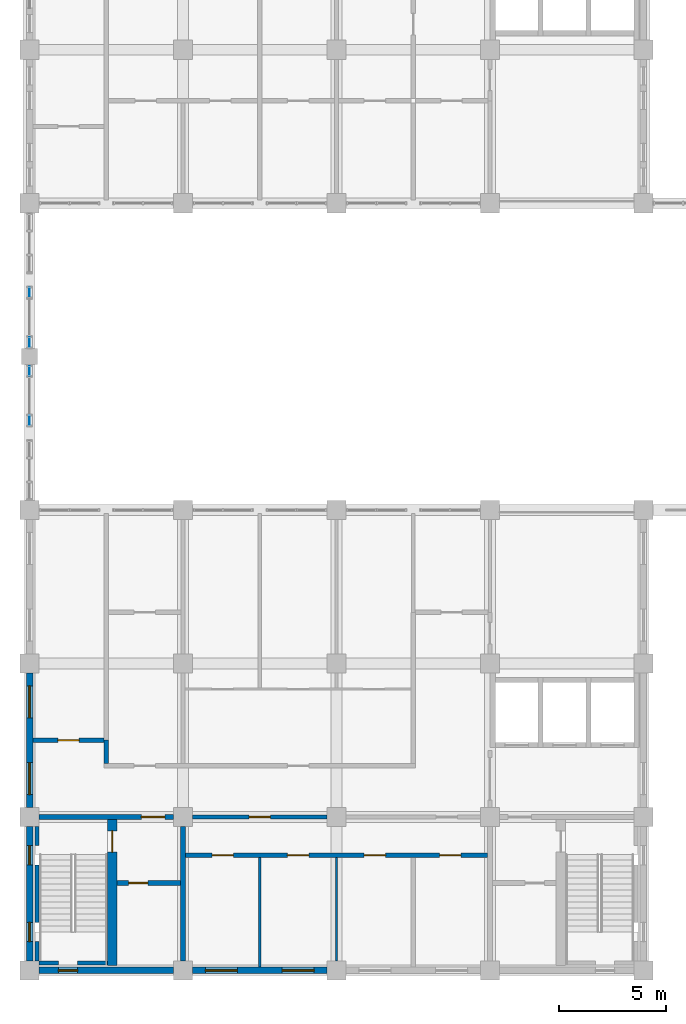
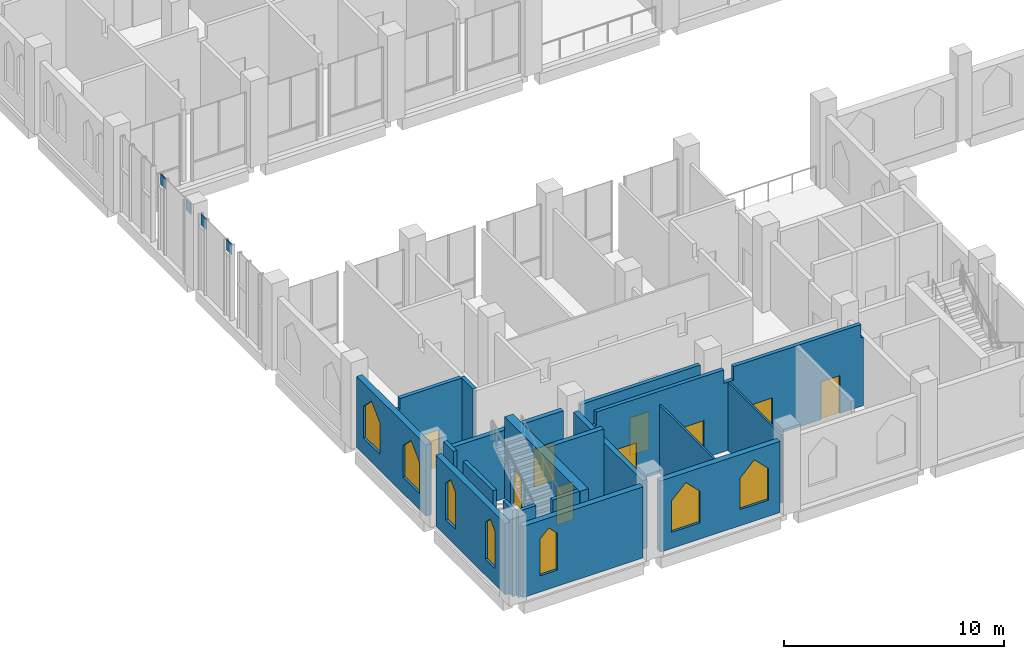
# One storey, part 19 of 30: 19 walls, 9 doors, 7 windows, 4 plates, 16 openings, 2 elements without a shape of their own.
"""IFC4 building model written with IfcOpenShell, lengths in metres."""

from ifc_helpers import new_model, si_unit, direction, frame, frame_2d, origin, origin_2d, place, context, subcontext, project, spatial, polyline, rectangle, outline, extrude, material, layer, layer_set, type_object, element, fill, aggregate, save


model = new_model("IFC4")

# Units and contexts
model_context = context("Model", 3, precision=1e-05, world=origin(), true_north=direction((0.0, 1.0)))
body_context = subcontext(model_context, "Body", "Model", "MODEL_VIEW")
ifc_project = project(units=[si_unit("LENGTHUNIT", "METRE"), si_unit("AREAUNIT", "SQUARE_METRE"), si_unit("VOLUMEUNIT", "CUBIC_METRE"), si_unit("PLANEANGLEUNIT", "RADIAN"), si_unit("MASSUNIT", "GRAM", prefix="KILO")], contexts=[model_context])

# Site, building, storey
site_placement = place(None, origin())
site = spatial("IfcSite", under=ifc_project, at=site_placement, CompositionType="ELEMENT")
building_placement = place(site_placement, origin())
building = spatial("IfcBuilding", under=site, at=building_placement, Name="Silangan Lancet Faculty of Sciences", CompositionType="ELEMENT")
storey_placement = place(building_placement, frame((0.0, 0.0, 31.199951171875)))
storey = spatial("IfcBuildingStorey", under=building, at=storey_placement, Name="L06", CompositionType="ELEMENT", Elevation=31.199951171875)

# Curtain wall, plates
ifc_material_1 = material(Name="Aluminium framed curtain wall with insulated glass", Category="aluminium")
curtain_wall_type = type_object("IfcCurtainWallType", Name="CW6 West window middle bays", PredefinedType="NOTDEFINED", material=ifc_material_1)
curtain_wall_1_placement = place(storey_placement, origin())
curtain_wall_1 = element("IfcCurtainWall", 1, at=curtain_wall_1_placement, inside=storey, type_object=curtain_wall_type, Name="CW6 West window L06 bay 2", PredefinedType="NOTDEFINED")
ifc_material_2 = material(Name="Insulated glass unit 8+16+8 low-emissivity", Category="glass")
ifc_layer_1 = layer(ifc_material_2, 0.031982421875)
ifc_layer_set_1 = layer_set([ifc_layer_1], Name="Insulated glass unit 8+16+8 low-emissivity")
plate_type = type_object("IfcPlateType", Name="CP1 Panel vision glass 32", PredefinedType="CURTAIN_PANEL", material=ifc_layer_set_1)
plate_1_placement = place(storey_placement, frame((0.0, 25.800048828125, 3.60009765625), z_axis=(0.0, 0.0, 1.0), x_axis=(0.0, 1.0, 0.0)))
plate_1 = element("IfcPlate", 2, at=plate_1_placement, type_object=plate_type, Name="CW6 West window L06 bay 2 panel 3", PredefinedType="CURTAIN_PANEL", context=body_context, shape_type="SweptSolid", body=[
    extrude(rectangle(XDim=0.449951171875, YDim=0.031982421875, at=origin_2d()), origin(), (0.0, 0.0, 1.0), 0.60009765625),
])
plate_2_placement = place(storey_placement, frame((0.0, 28.125, 3.60009765625), z_axis=(0.0, 0.0, 1.0), x_axis=(0.0, 1.0, 0.0)))
plate_2 = element("IfcPlate", 3, at=plate_2_placement, type_object=plate_type, Name="CW6 West window L06 bay 2 panel 4", PredefinedType="CURTAIN_PANEL", context=body_context, shape_type="SweptSolid", body=[
    extrude(rectangle(XDim=0.449951171875, YDim=0.031982421875, at=origin_2d()), origin(), (0.0, 0.0, 1.0), 0.60009765625),
])
aggregate(curtain_wall_1, [plate_1, plate_2])

curtain_wall_2_placement = place(storey_placement, origin())
curtain_wall_2 = element("IfcCurtainWall", 4, at=curtain_wall_2_placement, inside=storey, type_object=curtain_wall_type, Name="CW6 West window L06 bay 3", PredefinedType="NOTDEFINED")
plate_3_placement = place(storey_placement, frame((0.0, 29.47509765625, 3.60009765625), z_axis=(0.0, 0.0, 1.0), x_axis=(0.0, 1.0, 0.0)))
plate_3 = element("IfcPlate", 5, at=plate_3_placement, type_object=plate_type, Name="CW6 West window L06 bay 3 panel 3", PredefinedType="CURTAIN_PANEL", context=body_context, shape_type="SweptSolid", body=[
    extrude(rectangle(XDim=0.449951171875, YDim=0.031982421875, at=origin_2d()), origin(), (0.0, 0.0, 1.0), 0.60009765625),
])
plate_4_placement = place(storey_placement, frame((0.0, 31.7998046875, 3.60009765625), z_axis=(0.0, 0.0, 1.0), x_axis=(0.0, 1.0, 0.0)))
plate_4 = element("IfcPlate", 6, at=plate_4_placement, type_object=plate_type, Name="CW6 West window L06 bay 3 panel 4", PredefinedType="CURTAIN_PANEL", context=body_context, shape_type="SweptSolid", body=[
    extrude(rectangle(XDim=0.449951171875, YDim=0.031982421875, at=origin_2d()), origin(), (0.0, 0.0, 1.0), 0.60009765625),
])
aggregate(curtain_wall_2, [plate_3, plate_4])

# Wall, openings, windows
ifc_material_3 = material(Name="Concrete C40/50 precast", Category="concrete")
ifc_layer_2 = layer(ifc_material_3, 0.300048828125)
ifc_layer_set_2 = layer_set([ifc_layer_2], Name="Concrete C40/50 precast")
wall_type_1 = type_object("IfcWallType", Name="EW1 Precast cladding wall", PredefinedType="STANDARD", material=ifc_layer_set_2)
wall_1_placement = place(storey_placement, frame((0.0, 7.64990234375, 0.0), z_axis=(0.0, 0.0, 1.0), x_axis=(0.0, 1.0, 0.0)))
wall_1 = element("IfcWall", 7, at=wall_1_placement, inside=storey, type_object=wall_type_1, Name="EW-L06-W-ST-01", PredefinedType="STANDARD", context=body_context, shape_type="SweptSolid", body=[
    extrude(rectangle(XDim=6.300048828125, YDim=0.300048828125, at=frame_2d((3.14990234375, 0.0))), origin(), (0.0, 0.0, 1.0), 3.949951171875),
])
opening_1_placement = place(wall_1_placement, frame((0.60009765625, 0.0, 0.89990234375)))
opening_1 = element("IfcOpeningElement", 8, at=opening_1_placement, cuts=wall_1, Name="Opening W12", PredefinedType="OPENING", context=body_context, shape_type="SweptSolid", body=[
    extrude(outline(polyline([(0.0, 0.0), (1.5, 0.0), (1.5, 1.75), (0.75, 2.5), (0.0, 1.75), (0.0, 0.0)])), frame((0.0, 0.159912109375, 0.0), z_axis=(0.0, -1.0, 0.0), x_axis=(1.0, 0.0, 0.0)), (0.0, 0.0, 1.0), 0.320068359375),
])
opening_2_placement = place(wall_1_placement, frame((4.199951171875, 0.0, 0.89990234375)))
opening_2 = element("IfcOpeningElement", 9, at=opening_2_placement, cuts=wall_1, Name="Opening W12", PredefinedType="OPENING", context=body_context, shape_type="SweptSolid", body=[
    extrude(outline(polyline([(0.0, 0.0), (1.5, 0.0), (1.5, 1.75), (0.75, 2.5), (0.0, 1.75), (0.0, 0.0)])), frame((0.0, 0.159912109375, 0.0), z_axis=(0.0, -1.0, 0.0), x_axis=(1.0, 0.0, 0.0)), (0.0, 0.0, 1.0), 0.320068359375),
])
ifc_material_4 = material(Name="Aluminium frame, laminated double glazing", Category="aluminium")
window_type_1 = type_object("IfcWindowType", Name="W12 Lancet window 1500 x 2500", PartitioningType="SINGLE_PANEL", PredefinedType="WINDOW", material=ifc_material_4)
window_1_placement = place(opening_1_placement, origin())
window_1 = element("IfcWindow", 10, at=window_1_placement, inside=storey, type_object=window_type_1, Name="WIN-L06-W-ST-01a", OverallHeight=2.5, OverallWidth=1.5, PartitioningType="SINGLE_PANEL", PredefinedType="WINDOW", context=body_context, shape_type="SweptSolid", body=[
    extrude(outline(polyline([(0.0, 0.0), (1.5, 0.0), (1.5, 1.75), (0.75, 2.5), (0.0, 1.75), (0.0, 0.0)])), frame((0.0, 0.030029296875, 0.0), z_axis=(0.0, -1.0, 0.0), x_axis=(1.0, 0.0, 0.0)), (0.0, 0.0, 1.0), 0.06005859375),
])
fill(opening_1, window_1)
window_2_placement = place(opening_2_placement, origin())
window_2 = element("IfcWindow", 11, at=window_2_placement, inside=storey, type_object=window_type_1, Name="WIN-L06-W-ST-01b", OverallHeight=2.5, OverallWidth=1.5, PartitioningType="SINGLE_PANEL", PredefinedType="WINDOW", context=body_context, shape_type="SweptSolid", body=[
    extrude(outline(polyline([(0.0, 0.0), (1.5, 0.0), (1.5, 1.75), (0.75, 2.5), (0.0, 1.75), (0.0, 0.0)])), frame((0.0, 0.030029296875, 0.0), z_axis=(0.0, -1.0, 0.0), x_axis=(1.0, 0.0, 0.0)), (0.0, 0.0, 1.0), 0.06005859375),
])
fill(opening_2, window_2)

wall_2_placement = place(storey_placement, frame((7.64990234375, 0.0, 0.0), z_axis=(0.0, 0.0, 1.0), x_axis=(1.0, 0.0, 0.0)))
wall_2 = element("IfcWall", 12, at=wall_2_placement, inside=storey, type_object=wall_type_1, Name="EW-L06-S-ST-01", PredefinedType="STANDARD", context=body_context, shape_type="SweptSolid", body=[
    extrude(rectangle(XDim=6.300048828125, YDim=0.300048828125, at=frame_2d((3.14990234375, 0.0))), origin(), (0.0, 0.0, 1.0), 3.949951171875),
])
opening_3_placement = place(wall_2_placement, frame((0.60009765625, 0.0, 0.89990234375)))
opening_3 = element("IfcOpeningElement", 13, at=opening_3_placement, cuts=wall_2, Name="Opening W12", PredefinedType="OPENING", context=body_context, shape_type="SweptSolid", body=[
    extrude(outline(polyline([(0.0, 0.0), (1.5, 0.0), (1.5, 1.75), (0.75, 2.5), (0.0, 1.75), (0.0, 0.0)])), frame((0.0, 0.159912109375, 0.0), z_axis=(0.0, -1.0, 0.0), x_axis=(1.0, 0.0, 0.0)), (0.0, 0.0, 1.0), 0.320068359375),
])
opening_4_placement = place(wall_2_placement, frame((4.199951171875, 0.0, 0.89990234375)))
opening_4 = element("IfcOpeningElement", 14, at=opening_4_placement, cuts=wall_2, Name="Opening W12", PredefinedType="OPENING", context=body_context, shape_type="SweptSolid", body=[
    extrude(outline(polyline([(0.0, 0.0), (1.5, 0.0), (1.5, 1.75), (0.75, 2.5), (0.0, 1.75), (0.0, 0.0)])), frame((0.0, 0.159912109375, 0.0), z_axis=(0.0, -1.0, 0.0), x_axis=(1.0, 0.0, 0.0)), (0.0, 0.0, 1.0), 0.320068359375),
])
window_3_placement = place(opening_3_placement, origin())
window_3 = element("IfcWindow", 15, at=window_3_placement, inside=storey, type_object=window_type_1, Name="WIN-L06-S-ST-01a", OverallHeight=2.5, OverallWidth=1.5, PartitioningType="SINGLE_PANEL", PredefinedType="WINDOW", context=body_context, shape_type="SweptSolid", body=[
    extrude(outline(polyline([(0.0, 0.0), (1.5, 0.0), (1.5, 1.75), (0.75, 2.5), (0.0, 1.75), (0.0, 0.0)])), frame((0.0, 0.030029296875, 0.0), z_axis=(0.0, -1.0, 0.0), x_axis=(1.0, 0.0, 0.0)), (0.0, 0.0, 1.0), 0.06005859375),
])
fill(opening_3, window_3)
window_4_placement = place(opening_4_placement, origin())
window_4 = element("IfcWindow", 16, at=window_4_placement, inside=storey, type_object=window_type_1, Name="WIN-L06-S-ST-01b", OverallHeight=2.5, OverallWidth=1.5, PartitioningType="SINGLE_PANEL", PredefinedType="WINDOW", context=body_context, shape_type="SweptSolid", body=[
    extrude(outline(polyline([(0.0, 0.0), (1.5, 0.0), (1.5, 1.75), (0.75, 2.5), (0.0, 1.75), (0.0, 0.0)])), frame((0.0, 0.030029296875, 0.0), z_axis=(0.0, -1.0, 0.0), x_axis=(1.0, 0.0, 0.0)), (0.0, 0.0, 1.0), 0.06005859375),
])
fill(opening_4, window_4)

ifc_material_5 = material(Name="Concrete C40/50 precast", Category="concrete")
ifc_layer_3 = layer(ifc_material_5, 0.300048828125)
ifc_layer_set_3 = layer_set([ifc_layer_3], Name="Concrete C40/50 precast")
wall_type_2 = type_object("IfcWallType", Name="EW2 Turret enclosure wall", PredefinedType="STANDARD", material=ifc_layer_set_3)
wall_3_placement = place(storey_placement, frame((0.0, 0.449951171875, 0.0), z_axis=(0.0, 0.0, 1.0), x_axis=(0.0, 1.0, 0.0)))
wall_3 = element("IfcWall", 17, at=wall_3_placement, inside=storey, type_object=wall_type_2, Name="EW-L06-W-ST-00", PredefinedType="STANDARD", context=body_context, shape_type="SweptSolid", body=[
    extrude(rectangle(XDim=6.300048828125, YDim=0.300048828125, at=frame_2d((3.14990234375, 0.0))), origin(), (0.0, 0.0, 1.0), 3.949951171875),
])
opening_5_placement = place(wall_3_placement, frame((0.89990234375, 0.0, 0.89990234375)))
opening_5 = element("IfcOpeningElement", 18, at=opening_5_placement, cuts=wall_3, Name="Opening W11", PredefinedType="OPENING", context=body_context, shape_type="SweptSolid", body=[
    extrude(outline(polyline([(0.0, 0.0), (0.89990234375, 0.0), (0.89990234375, 2.050048828125), (0.449951171875, 2.5), (0.0, 2.050048828125), (0.0, 0.0)])), frame((0.0, 0.159912109375, 0.0), z_axis=(0.0, -1.0, 0.0), x_axis=(1.0, 0.0, 0.0)), (0.0, 0.0, 1.0), 0.320068359375),
])
opening_6_placement = place(wall_3_placement, frame((4.5, 0.0, 0.89990234375)))
opening_6 = element("IfcOpeningElement", 19, at=opening_6_placement, cuts=wall_3, Name="Opening W11", PredefinedType="OPENING", context=body_context, shape_type="SweptSolid", body=[
    extrude(outline(polyline([(0.0, 0.0), (0.89990234375, 0.0), (0.89990234375, 2.050048828125), (0.449951171875, 2.5), (0.0, 2.050048828125), (0.0, 0.0)])), frame((0.0, 0.159912109375, 0.0), z_axis=(0.0, -1.0, 0.0), x_axis=(1.0, 0.0, 0.0)), (0.0, 0.0, 1.0), 0.320068359375),
])
ifc_material_6 = material(Name="Aluminium frame, laminated double glazing", Category="aluminium")
window_type_2 = type_object("IfcWindowType", Name="W11 Lancet window 900 x 2500", PartitioningType="SINGLE_PANEL", PredefinedType="WINDOW", material=ifc_material_6)
window_5_placement = place(opening_5_placement, origin())
window_5 = element("IfcWindow", 20, at=window_5_placement, inside=storey, type_object=window_type_2, Name="WIN-L06-W-ST-00a", OverallHeight=2.5, OverallWidth=0.89990234375, PartitioningType="SINGLE_PANEL", PredefinedType="WINDOW", context=body_context, shape_type="SweptSolid", body=[
    extrude(outline(polyline([(0.0, 0.0), (0.89990234375, 0.0), (0.89990234375, 2.050048828125), (0.449951171875, 2.5), (0.0, 2.050048828125), (0.0, 0.0)])), frame((0.0, 0.030029296875, 0.0), z_axis=(0.0, -1.0, 0.0), x_axis=(1.0, 0.0, 0.0)), (0.0, 0.0, 1.0), 0.06005859375),
])
fill(opening_5, window_5)
window_6_placement = place(opening_6_placement, origin())
window_6 = element("IfcWindow", 21, at=window_6_placement, inside=storey, type_object=window_type_2, Name="WIN-L06-W-ST-00b", OverallHeight=2.5, OverallWidth=0.89990234375, PartitioningType="SINGLE_PANEL", PredefinedType="WINDOW", context=body_context, shape_type="SweptSolid", body=[
    extrude(outline(polyline([(0.0, 0.0), (0.89990234375, 0.0), (0.89990234375, 2.050048828125), (0.449951171875, 2.5), (0.0, 2.050048828125), (0.0, 0.0)])), frame((0.0, 0.030029296875, 0.0), z_axis=(0.0, -1.0, 0.0), x_axis=(1.0, 0.0, 0.0)), (0.0, 0.0, 1.0), 0.06005859375),
])
fill(opening_6, window_6)

# Wall, opening, window
wall_4_placement = place(storey_placement, frame((0.449951171875, 0.0, 0.0), z_axis=(0.0, 0.0, 1.0), x_axis=(1.0, 0.0, 0.0)))
wall_4 = element("IfcWall", 22, at=wall_4_placement, inside=storey, type_object=wall_type_2, Name="EW-L06-S-ST-00", PredefinedType="STANDARD", context=body_context, shape_type="SweptSolid", body=[
    extrude(rectangle(XDim=6.300048828125, YDim=0.300048828125, at=frame_2d((3.14990234375, 0.0))), origin(), (0.0, 0.0, 1.0), 3.949951171875),
])
opening_7_placement = place(wall_4_placement, frame((0.89990234375, 0.0, 0.89990234375)))
opening_7 = element("IfcOpeningElement", 23, at=opening_7_placement, cuts=wall_4, Name="Opening W11", PredefinedType="OPENING", context=body_context, shape_type="SweptSolid", body=[
    extrude(outline(polyline([(0.0, 0.0), (0.89990234375, 0.0), (0.89990234375, 2.050048828125), (0.449951171875, 2.5), (0.0, 2.050048828125), (0.0, 0.0)])), frame((0.0, 0.159912109375, 0.0), z_axis=(0.0, -1.0, 0.0), x_axis=(1.0, 0.0, 0.0)), (0.0, 0.0, 1.0), 0.320068359375),
])
window_7_placement = place(opening_7_placement, origin())
window_7 = element("IfcWindow", 24, at=window_7_placement, inside=storey, type_object=window_type_2, Name="WIN-L06-S-ST-00a", OverallHeight=2.5, OverallWidth=0.89990234375, PartitioningType="SINGLE_PANEL", PredefinedType="WINDOW", context=body_context, shape_type="SweptSolid", body=[
    extrude(outline(polyline([(0.0, 0.0), (0.89990234375, 0.0), (0.89990234375, 2.050048828125), (0.449951171875, 2.5), (0.0, 2.050048828125), (0.0, 0.0)])), frame((0.0, 0.030029296875, 0.0), z_axis=(0.0, -1.0, 0.0), x_axis=(1.0, 0.0, 0.0)), (0.0, 0.0, 1.0), 0.06005859375),
])
fill(opening_7, window_7)

# Wall, openings, doors
ifc_material_7 = material(Name="Hollow block masonry fm 7 MPa", Category="masonry")
ifc_layer_4 = layer(ifc_material_7, 0.199951171875)
ifc_layer_set_4 = layer_set([ifc_layer_4], Name="Hollow block masonry fm 7 MPa")
wall_type_3 = type_object("IfcWallType", Name="Interior wall PW1 Corridor wall CHB 200", PredefinedType="PARTITIONING", material=ifc_layer_set_4)
wall_5_placement = place(storey_placement, frame((7.324951171875, 5.39990234375, 0.0), z_axis=(0.0, 0.0, 1.0), x_axis=(1.0, 0.0, 0.0)))
wall_5 = element("IfcWall", 25, at=wall_5_placement, inside=storey, type_object=wall_type_3, Name="Corridor wall CHB 200", PredefinedType="PARTITIONING", context=body_context, shape_type="SweptSolid", body=[
    extrude(outline(polyline([(0.0, 0.0), (14.150146484375, 0.0), (14.150146484375, 3.800048828125), (14.02490234375, 3.800048828125), (14.02490234375, 4.550048828125), (7.324951171875, 4.550048828125), (7.324951171875, 3.800048828125), (6.824951171875, 3.800048828125), (6.824951171875, 4.550048828125), (0.125, 4.550048828125), (0.125, 3.800048828125), (0.0, 3.800048828125), (0.0, 0.0)])), frame((0.0, 0.10009765625, 0.0), z_axis=(0.0, -1.0, 0.0), x_axis=(1.0, 0.0, 0.0)), (0.0, 0.0, 1.0), 0.199951171875),
])
opening_8_placement = place(wall_5_placement, frame((1.237548828125, 0.0, 0.0)))
opening_8 = element("IfcOpeningElement", 26, at=opening_8_placement, cuts=wall_5, Name="Opening L06-007", PredefinedType="OPENING", context=body_context, shape_type="SweptSolid", body=[
    extrude(rectangle(XDim=1.0, YDim=2.10009765625, at=frame_2d((0.5, 1.050048828125))), frame((0.0, 0.10986328125, 0.0), z_axis=(0.0, -1.0, 0.0), x_axis=(1.0, 0.0, 0.0)), (0.0, 0.0, 1.0), 0.219970703125),
])
opening_9_placement = place(wall_5_placement, frame((4.77490234375, 0.0, 0.0)))
opening_9 = element("IfcOpeningElement", 27, at=opening_9_placement, cuts=wall_5, Name="Opening L06-008", PredefinedType="OPENING", context=body_context, shape_type="SweptSolid", body=[
    extrude(rectangle(XDim=1.0, YDim=2.10009765625, at=frame_2d((0.5, 1.050048828125))), frame((0.0, 0.10986328125, 0.0), z_axis=(0.0, -1.0, 0.0), x_axis=(1.0, 0.0, 0.0)), (0.0, 0.0, 1.0), 0.219970703125),
])
opening_10_placement = place(wall_5_placement, frame((8.375, 0.0, 0.0)))
opening_10 = element("IfcOpeningElement", 28, at=opening_10_placement, cuts=wall_5, Name="Opening L06-009", PredefinedType="OPENING", context=body_context, shape_type="SweptSolid", body=[
    extrude(rectangle(XDim=1.0, YDim=2.10009765625, at=frame_2d((0.5, 1.050048828125))), frame((0.0, 0.10986328125, 0.0), z_axis=(0.0, -1.0, 0.0), x_axis=(1.0, 0.0, 0.0)), (0.0, 0.0, 1.0), 0.219970703125),
])
opening_11_placement = place(wall_5_placement, frame((11.91259765625, 0.0, 0.0)))
opening_11 = element("IfcOpeningElement", 29, at=opening_11_placement, cuts=wall_5, Name="Opening L06-010", PredefinedType="OPENING", context=body_context, shape_type="SweptSolid", body=[
    extrude(rectangle(XDim=1.0, YDim=2.10009765625, at=frame_2d((0.5, 1.050048828125))), frame((0.0, 0.10986328125, 0.0), z_axis=(0.0, -1.0, 0.0), x_axis=(1.0, 0.0, 0.0)), (0.0, 0.0, 1.0), 0.219970703125),
])
ifc_material_8 = material(Name="Steel fire door set", Category="steel")
door_type_1 = type_object("IfcDoorType", Name="Door D1 Single leaf fire door 1000 x 2100", OperationType="SINGLE_SWING_LEFT", PredefinedType="DOOR", material=ifc_material_8)
door_1_placement = place(opening_8_placement, frame((1.0, 0.0, 0.0), z_axis=(0.0, 0.0, 1.0), x_axis=(-1.0, 0.0, 0.0)))
door_1 = element("IfcDoor", 30, at=door_1_placement, inside=storey, type_object=door_type_1, Name="Single leaf fire door 1000 x 2100", OperationType="SINGLE_SWING_RIGHT", OverallHeight=2.10009765625, OverallWidth=1.0, PredefinedType="DOOR", context=body_context, shape_type="SweptSolid", body=[
    extrude(rectangle(XDim=1.0, YDim=2.10009765625, at=frame_2d((0.5, 1.050048828125))), frame((0.0, 0.025146484375, 0.0), z_axis=(0.0, -1.0, 0.0), x_axis=(1.0, 0.0, 0.0)), (0.0, 0.0, 1.0), 0.050048828125),
])
fill(opening_8, door_1)
door_2_placement = place(opening_9_placement, frame((1.0, 0.0, 0.0), z_axis=(0.0, 0.0, 1.0), x_axis=(-1.0, 0.0, 0.0)))
door_2 = element("IfcDoor", 31, at=door_2_placement, inside=storey, type_object=door_type_1, Name="Single leaf fire door 1000 x 2100", OperationType="SINGLE_SWING_LEFT", OverallHeight=2.10009765625, OverallWidth=1.0, PredefinedType="DOOR", context=body_context, shape_type="SweptSolid", body=[
    extrude(rectangle(XDim=1.0, YDim=2.10009765625, at=frame_2d((0.5, 1.050048828125))), frame((0.0, 0.025146484375, 0.0), z_axis=(0.0, -1.0, 0.0), x_axis=(1.0, 0.0, 0.0)), (0.0, 0.0, 1.0), 0.050048828125),
])
fill(opening_9, door_2)
door_3_placement = place(opening_10_placement, frame((1.0, 0.0, 0.0), z_axis=(0.0, 0.0, 1.0), x_axis=(-1.0, 0.0, 0.0)))
door_3 = element("IfcDoor", 32, at=door_3_placement, inside=storey, type_object=door_type_1, Name="Single leaf fire door 1000 x 2100", OperationType="SINGLE_SWING_RIGHT", OverallHeight=2.10009765625, OverallWidth=1.0, PredefinedType="DOOR", context=body_context, shape_type="SweptSolid", body=[
    extrude(rectangle(XDim=1.0, YDim=2.10009765625, at=frame_2d((0.5, 1.050048828125))), frame((0.0, 0.025146484375, 0.0), z_axis=(0.0, -1.0, 0.0), x_axis=(1.0, 0.0, 0.0)), (0.0, 0.0, 1.0), 0.050048828125),
])
fill(opening_10, door_3)
door_4_placement = place(opening_11_placement, frame((1.0, 0.0, 0.0), z_axis=(0.0, 0.0, 1.0), x_axis=(-1.0, 0.0, 0.0)))
door_4 = element("IfcDoor", 33, at=door_4_placement, inside=storey, type_object=door_type_1, Name="Single leaf fire door 1000 x 2100", OperationType="SINGLE_SWING_LEFT", OverallHeight=2.10009765625, OverallWidth=1.0, PredefinedType="DOOR", context=body_context, shape_type="SweptSolid", body=[
    extrude(rectangle(XDim=1.0, YDim=2.10009765625, at=frame_2d((0.5, 1.050048828125))), frame((0.0, 0.025146484375, 0.0), z_axis=(0.0, -1.0, 0.0), x_axis=(1.0, 0.0, 0.0)), (0.0, 0.0, 1.0), 0.050048828125),
])
fill(opening_11, door_4)

# Wall, opening, door
wall_6_placement = place(storey_placement, frame((7.64990234375, 7.199951171875, 0.0), z_axis=(0.0, 0.0, 1.0), x_axis=(1.0, 0.0, 0.0)))
wall_6 = element("IfcWall", 34, at=wall_6_placement, inside=storey, type_object=wall_type_3, Name="Corridor wall CHB 200", PredefinedType="PARTITIONING", context=body_context, shape_type="SweptSolid", body=[
    extrude(rectangle(XDim=6.300048828125, YDim=0.199951171875, at=frame_2d((3.14990234375, 0.0))), origin(), (0.0, 0.0, 1.0), 3.800048828125),
])
opening_12_placement = place(wall_6_placement, frame((2.64990234375, 0.0, 0.0)))
opening_12 = element("IfcOpeningElement", 35, at=opening_12_placement, cuts=wall_6, Name="Opening L06-002", PredefinedType="OPENING", context=body_context, shape_type="SweptSolid", body=[
    extrude(rectangle(XDim=1.0, YDim=2.10009765625, at=frame_2d((0.5, 1.050048828125))), frame((0.0, 0.10986328125, 0.0), z_axis=(0.0, -1.0, 0.0), x_axis=(1.0, 0.0, 0.0)), (0.0, 0.0, 1.0), 0.219970703125),
])
door_5_placement = place(opening_12_placement, frame((1.0, 0.0, 0.0), z_axis=(0.0, 0.0, 1.0), x_axis=(-1.0, 0.0, 0.0)))
door_5 = element("IfcDoor", 36, at=door_5_placement, inside=storey, type_object=door_type_1, Name="Single leaf fire door 1000 x 2100", OperationType="SINGLE_SWING_LEFT", OverallHeight=2.10009765625, OverallWidth=1.0, PredefinedType="DOOR", context=body_context, shape_type="SweptSolid", body=[
    extrude(rectangle(XDim=1.0, YDim=2.10009765625, at=frame_2d((0.5, 1.050048828125))), frame((0.0, 0.025146484375, 0.0), z_axis=(0.0, -1.0, 0.0), x_axis=(1.0, 0.0, 0.0)), (0.0, 0.0, 1.0), 0.050048828125),
])
fill(opening_12, door_5)

wall_7_placement = place(storey_placement, frame((0.14990234375, 10.800048828125, 0.0), z_axis=(0.0, 0.0, 1.0), x_axis=(1.0, 0.0, 0.0)))
wall_7 = element("IfcWall", 37, at=wall_7_placement, inside=storey, type_object=wall_type_3, Name="Corridor wall CHB 200", PredefinedType="PARTITIONING", context=body_context, shape_type="SweptSolid", body=[
    extrude(outline(polyline([(0.0, 0.0), (3.35009765625, 0.0), (3.35009765625, 4.550048828125), (0.10009765625, 4.550048828125), (0.10009765625, 3.949951171875), (0.0, 3.949951171875), (0.0, 0.0)])), frame((0.0, 0.10009765625, 0.0), z_axis=(0.0, -1.0, 0.0), x_axis=(1.0, 0.0, 0.0)), (0.0, 0.0, 1.0), 0.199951171875),
])
opening_13_placement = place(wall_7_placement, frame((1.175048828125, 0.0, 0.0)))
opening_13 = element("IfcOpeningElement", 38, at=opening_13_placement, cuts=wall_7, Name="Opening L06-013", PredefinedType="OPENING", context=body_context, shape_type="SweptSolid", body=[
    extrude(rectangle(XDim=1.0, YDim=2.10009765625, at=frame_2d((0.5, 1.050048828125))), frame((0.0, 0.10986328125, 0.0), z_axis=(0.0, -1.0, 0.0), x_axis=(1.0, 0.0, 0.0)), (0.0, 0.0, 1.0), 0.219970703125),
])
door_6_placement = place(opening_13_placement, origin())
door_6 = element("IfcDoor", 39, at=door_6_placement, inside=storey, type_object=door_type_1, Name="Single leaf fire door 1000 x 2100", OperationType="SINGLE_SWING_LEFT", OverallHeight=2.10009765625, OverallWidth=1.0, PredefinedType="DOOR", context=body_context, shape_type="SweptSolid", body=[
    extrude(rectangle(XDim=1.0, YDim=2.10009765625, at=frame_2d((0.5, 1.050048828125))), frame((0.0, 0.02490234375, 0.0), z_axis=(0.0, -1.0, 0.0), x_axis=(1.0, 0.0, 0.0)), (0.0, 0.0, 1.0), 0.050048828125),
])
fill(opening_13, door_6)

# Walls
wall_8_placement = place(storey_placement, frame((3.60009765625, 9.699951171875, 0.0), z_axis=(0.0, 0.0, 1.0), x_axis=(0.0, 1.0, 0.0)))
element("IfcWall", 40, at=wall_8_placement, inside=storey, type_object=wall_type_3, Name="Corridor wall CHB 200", PredefinedType="PARTITIONING", context=body_context, shape_type="SweptSolid", body=[
    extrude(rectangle(XDim=1.10009765625, YDim=0.199951171875, at=frame_2d((0.550048828125, 0.0))), origin(), (0.0, 0.0, 1.0), 4.550048828125),
])
ifc_material_9 = material(Name="Hollow block masonry fm 7 MPa", Category="masonry")
ifc_layer_5 = layer(ifc_material_9, 0.10009765625)
ifc_layer_set_5 = layer_set([ifc_layer_5], Name="Hollow block masonry fm 7 MPa")
wall_type_4 = type_object("IfcWallType", Name="Interior wall PW8 WC partition CHB 100", PredefinedType="PARTITIONING", material=ifc_layer_set_5)
wall_9_placement = place(storey_placement, frame((10.800048828125, 0.14990234375, 0.0), z_axis=(0.0, 0.0, 1.0), x_axis=(0.0, 1.0, 0.0)))
element("IfcWall", 41, at=wall_9_placement, inside=storey, type_object=wall_type_4, Name="WC partition CHB 100", PredefinedType="PARTITIONING", context=body_context, shape_type="SweptSolid", body=[
    extrude(rectangle(XDim=5.150146484375, YDim=0.10009765625, at=frame_2d((2.5751953125, 0.0))), origin(), (0.0, 0.0, 1.0), 3.800048828125),
])
wall_10_placement = place(storey_placement, frame((14.39990234375, 0.449951171875, 0.0), z_axis=(0.0, 0.0, 1.0), x_axis=(0.0, 1.0, 0.0)))
element("IfcWall", 42, at=wall_10_placement, inside=storey, type_object=wall_type_4, Name="WC partition CHB 100", PredefinedType="PARTITIONING", context=body_context, shape_type="SweptSolid", body=[
    extrude(rectangle(XDim=4.85009765625, YDim=0.10009765625, at=frame_2d((2.425048828125, 0.0))), origin(), (0.0, 0.0, 1.0), 3.800048828125),
])

# Wall, opening, door
ifc_material_10 = material(Name="Concrete C40/50", Category="concrete")
ifc_layer_6 = layer(ifc_material_10, 0.449951171875)
ifc_layer_set_6 = layer_set([ifc_layer_6], Name="Concrete C40/50")
wall_type_5 = type_object("IfcWallType", Name="TURRET CORE WALL RC 450", PredefinedType="SHEAR", material=ifc_layer_set_6)
wall_11_placement = place(storey_placement, frame((3.875, 0.22509765625, 0.0), z_axis=(0.0, 0.0, 1.0), x_axis=(0.0, 1.0, 0.0)))
wall_11 = element("IfcWall", 43, at=wall_11_placement, inside=storey, type_object=wall_type_5, Name="WALL-L06-ST-A-WELL", PredefinedType="SHEAR", context=body_context, shape_type="SweptSolid", body=[
    extrude(rectangle(XDim=6.849853515625, YDim=0.449951171875, at=frame_2d((3.4248046875, 0.0))), origin(), (0.0, 0.0, 1.0), 4.550048828125),
])
opening_14_placement = place(wall_11_placement, frame((5.324951171875, 0.0, 0.0)))
opening_14 = element("IfcOpeningElement", 44, at=opening_14_placement, cuts=wall_11, Name="Opening L06-707", PredefinedType="OPENING", context=body_context, shape_type="SweptSolid", body=[
    extrude(rectangle(XDim=1.0, YDim=2.10009765625, at=frame_2d((0.5, 1.050048828125))), frame((0.0, 0.23486328125, 0.0), z_axis=(0.0, -1.0, 0.0), x_axis=(1.0, 0.0, 0.0)), (0.0, 0.0, 1.0), 0.469970703125),
])
ifc_material_11 = material(Name="Steel fire door set", Category="steel")
door_type_2 = type_object("IfcDoorType", Name="D71 Stair enclosure door 1000x2100", OperationType="SINGLE_SWING_LEFT", PredefinedType="DOOR", material=ifc_material_11)
door_7_placement = place(opening_14_placement, origin())
door_7 = element("IfcDoor", 45, at=door_7_placement, inside=storey, type_object=door_type_2, Name="Stair enclosure door ST-A L06", OperationType="SINGLE_SWING_RIGHT", OverallHeight=2.10009765625, OverallWidth=1.0, PredefinedType="DOOR", context=body_context, shape_type="SweptSolid", body=[
    extrude(rectangle(XDim=1.0, YDim=2.10009765625, at=frame_2d((0.5, 1.050048828125))), frame((0.0, 0.02490234375, 0.0), z_axis=(0.0, -1.0, 0.0), x_axis=(1.0, 0.0, 0.0)), (0.0, 0.0, 1.0), 0.050048828125),
])
fill(opening_14, door_7)

# Walls
ifc_material_12 = material(Name="Concrete C40/50", Category="concrete")
ifc_layer_7 = layer(ifc_material_12, 0.199951171875)
ifc_layer_set_7 = layer_set([ifc_layer_7], Name="Concrete C40/50")
wall_type_6 = type_object("IfcWallType", Name="TURRET LINING WALL RC 200", PredefinedType="SHEAR", material=ifc_layer_set_7)
wall_12_placement = place(storey_placement, frame((0.35009765625, 0.449951171875, -0.25), z_axis=(0.0, 0.0, 1.0), x_axis=(0.0, 1.0, 0.0)))
element("IfcWall", 46, at=wall_12_placement, inside=storey, type_object=wall_type_6, Name="WALL-L06-ST-A-WL", PredefinedType="SHEAR", context=body_context, shape_type="SweptSolid", body=[
    extrude(rectangle(XDim=0.900146484375, YDim=0.199951171875, at=frame_2d((0.4501953125, 0.0))), origin(), (0.0, 0.0, 1.0), 4.800048828125),
])
wall_13_placement = place(storey_placement, frame((0.35009765625, 2.25, -0.25), z_axis=(0.0, 0.0, 1.0), x_axis=(0.0, 1.0, 0.0)))
element("IfcWall", 47, at=wall_13_placement, inside=storey, type_object=wall_type_6, Name="WALL-L06-ST-A-WL-2", PredefinedType="SHEAR", context=body_context, shape_type="SweptSolid", body=[
    extrude(rectangle(XDim=2.699951171875, YDim=0.199951171875, at=frame_2d((1.35009765625, 0.0))), origin(), (0.0, 0.0, 1.0), 4.800048828125),
])
wall_14_placement = place(storey_placement, frame((0.35009765625, 5.85009765625, -0.25), z_axis=(0.0, 0.0, 1.0), x_axis=(0.0, 1.0, 0.0)))
element("IfcWall", 48, at=wall_14_placement, inside=storey, type_object=wall_type_6, Name="WALL-L06-ST-A-WL-3", PredefinedType="SHEAR", context=body_context, shape_type="SweptSolid", body=[
    extrude(rectangle(XDim=0.89990234375, YDim=0.199951171875, at=frame_2d((0.449951171875, 0.0))), origin(), (0.0, 0.0, 1.0), 4.800048828125),
])
wall_15_placement = place(storey_placement, frame((0.449951171875, 0.35009765625, -0.25), z_axis=(0.0, 0.0, 1.0), x_axis=(1.0, 0.0, 0.0)))
element("IfcWall", 49, at=wall_15_placement, inside=storey, type_object=wall_type_6, Name="WALL-L06-ST-A-WLD", PredefinedType="SHEAR", context=body_context, shape_type="SweptSolid", body=[
    extrude(rectangle(XDim=0.900146484375, YDim=0.199951171875, at=frame_2d((0.4501953125, 0.0))), origin(), (0.0, 0.0, 1.0), 4.800048828125),
])
wall_16_placement = place(storey_placement, frame((2.25, 0.35009765625, -0.25), z_axis=(0.0, 0.0, 1.0), x_axis=(1.0, 0.0, 0.0)))
element("IfcWall", 50, at=wall_16_placement, inside=storey, type_object=wall_type_6, Name="WALL-L06-ST-A-WLD-2", PredefinedType="SHEAR", context=body_context, shape_type="SweptSolid", body=[
    extrude(rectangle(XDim=1.39990234375, YDim=0.199951171875, at=frame_2d((0.699951171875, 0.0))), origin(), (0.0, 0.0, 1.0), 4.800048828125),
])

# Wall, opening, door
ifc_material_13 = material(Name="Concrete C40/50", Category="concrete")
ifc_layer_8 = layer(ifc_material_13, 0.25)
ifc_layer_set_8 = layer_set([ifc_layer_8], Name="Concrete C40/50")
wall_type_7 = type_object("IfcWallType", Name="TURRET WALL RC 250", PredefinedType="SHEAR", material=ifc_layer_set_8)
wall_17_placement = place(storey_placement, frame((0.449951171875, 7.199951171875, 0.0), z_axis=(0.0, 0.0, 1.0), x_axis=(1.0, 0.0, 0.0)))
wall_17 = element("IfcWall", 51, at=wall_17_placement, inside=storey, type_object=wall_type_7, Name="WALL-L06-ST-A-V", PredefinedType="SHEAR", context=body_context, shape_type="SweptSolid", body=[
    extrude(rectangle(XDim=6.300048828125, YDim=0.25, at=frame_2d((3.14990234375, 0.0))), origin(), (0.0, 0.0, 1.0), 3.800048828125),
])
opening_15_placement = place(wall_17_placement, frame((4.800048828125, 0.0, 0.0)))
opening_15 = element("IfcOpeningElement", 52, at=opening_15_placement, cuts=wall_17, Name="Opening L06-708", PredefinedType="OPENING", context=body_context, shape_type="SweptSolid", body=[
    extrude(rectangle(XDim=1.10009765625, YDim=2.10009765625, at=frame_2d((0.550048828125, 1.050048828125))), frame((0.0, 0.135009765625, 0.0), z_axis=(0.0, -1.0, 0.0), x_axis=(1.0, 0.0, 0.0)), (0.0, 0.0, 1.0), 0.27001953125),
])
ifc_material_14 = material(Name="Steel fire door set", Category="steel")
door_type_3 = type_object("IfcDoorType", Name="D70 Stair vestibule door 1100x2100", OperationType="SINGLE_SWING_LEFT", PredefinedType="DOOR", material=ifc_material_14)
door_8_placement = place(opening_15_placement, frame((1.10009765625, 0.0, 0.0), z_axis=(0.0, 0.0, 1.0), x_axis=(-1.0, 0.0, 0.0)))
door_8 = element("IfcDoor", 53, at=door_8_placement, inside=storey, type_object=door_type_3, Name="Stair vestibule door ST-A L06", OperationType="SINGLE_SWING_LEFT", OverallHeight=2.10009765625, OverallWidth=1.10009765625, PredefinedType="DOOR", context=body_context, shape_type="SweptSolid", body=[
    extrude(rectangle(XDim=1.10009765625, YDim=2.10009765625, at=frame_2d((0.550048828125, 1.050048828125))), frame((0.0, 0.025146484375, 0.0), z_axis=(0.0, -1.0, 0.0), x_axis=(1.0, 0.0, 0.0)), (0.0, 0.0, 1.0), 0.050048828125),
])
fill(opening_15, door_8)

# Wall
wall_18_placement = place(storey_placement, frame((7.199951171875, 0.449951171875, 0.0), z_axis=(0.0, 0.0, 1.0), x_axis=(0.0, 1.0, 0.0)))
element("IfcWall", 54, at=wall_18_placement, inside=storey, type_object=wall_type_7, Name="WALL-L06-ST-A-O", PredefinedType="SHEAR", context=body_context, shape_type="SweptSolid", body=[
    extrude(rectangle(XDim=6.300048828125, YDim=0.25, at=frame_2d((3.14990234375, 0.0))), origin(), (0.0, 0.0, 1.0), 3.800048828125),
])

# Wall, opening, door
wall_19_placement = place(storey_placement, frame((4.10009765625, 4.10009765625, 0.0), z_axis=(0.0, 0.0, 1.0), x_axis=(1.0, 0.0, 0.0)))
wall_19 = element("IfcWall", 55, at=wall_19_placement, inside=storey, type_object=wall_type_7, Name="WALL-L06-ST-A-RISER", PredefinedType="SHEAR", context=body_context, shape_type="SweptSolid", body=[
    extrude(rectangle(XDim=2.974853515625, YDim=0.25, at=frame_2d((1.4873046875, 0.0))), origin(), (0.0, 0.0, 1.0), 4.550048828125),
])
opening_16_placement = place(wall_19_placement, frame((0.550048828125, 0.0, 0.0)))
opening_16 = element("IfcOpeningElement", 56, at=opening_16_placement, cuts=wall_19, Name="Opening L06-709", PredefinedType="OPENING", context=body_context, shape_type="SweptSolid", body=[
    extrude(rectangle(XDim=0.89990234375, YDim=2.10009765625, at=frame_2d((0.449951171875, 1.050048828125))), frame((0.0, 0.135009765625, 0.0), z_axis=(0.0, -1.0, 0.0), x_axis=(1.0, 0.0, 0.0)), (0.0, 0.0, 1.0), 0.27001953125),
])
ifc_material_15 = material(Name="Steel fire door set", Category="steel")
door_type_4 = type_object("IfcDoorType", Name="D72 Riser access door 900x2100", OperationType="SINGLE_SWING_LEFT", PredefinedType="DOOR", material=ifc_material_15)
door_9_placement = place(opening_16_placement, frame((0.89990234375, 0.0, 0.0), z_axis=(0.0, 0.0, 1.0), x_axis=(-1.0, 0.0, 0.0)))
door_9 = element("IfcDoor", 57, at=door_9_placement, inside=storey, type_object=door_type_4, Name="Riser access door ST-A L06", OperationType="SINGLE_SWING_LEFT", OverallHeight=2.10009765625, OverallWidth=0.89990234375, PredefinedType="DOOR", context=body_context, shape_type="SweptSolid", body=[
    extrude(rectangle(XDim=0.89990234375, YDim=2.10009765625, at=frame_2d((0.449951171875, 1.050048828125))), frame((0.0, 0.025146484375, 0.0), z_axis=(0.0, -1.0, 0.0), x_axis=(1.0, 0.0, 0.0)), (0.0, 0.0, 1.0), 0.050048828125),
])
fill(opening_16, door_9)

save(model, "model.ifc")
